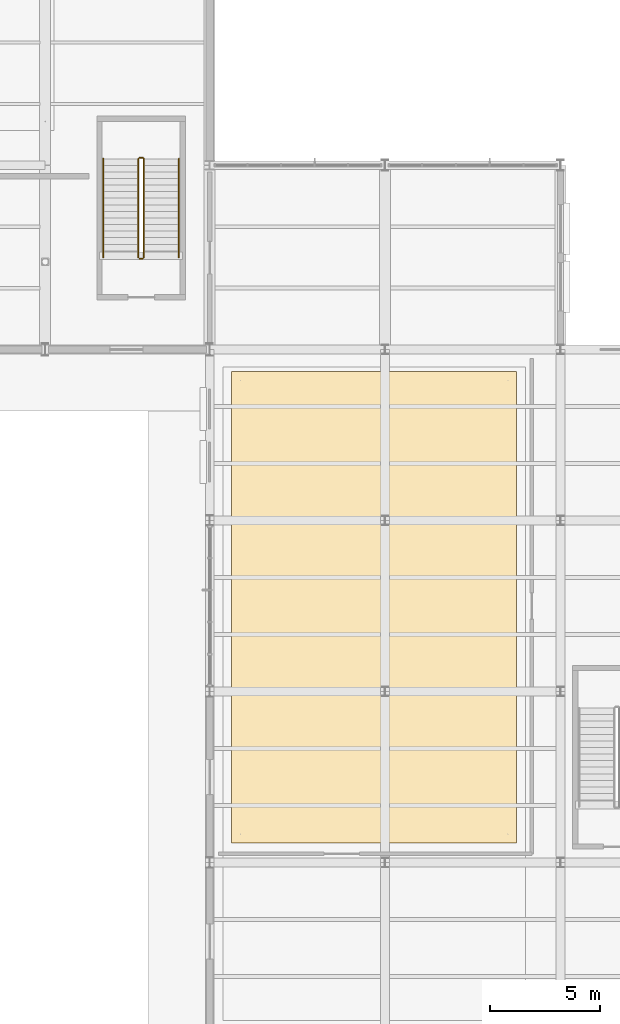
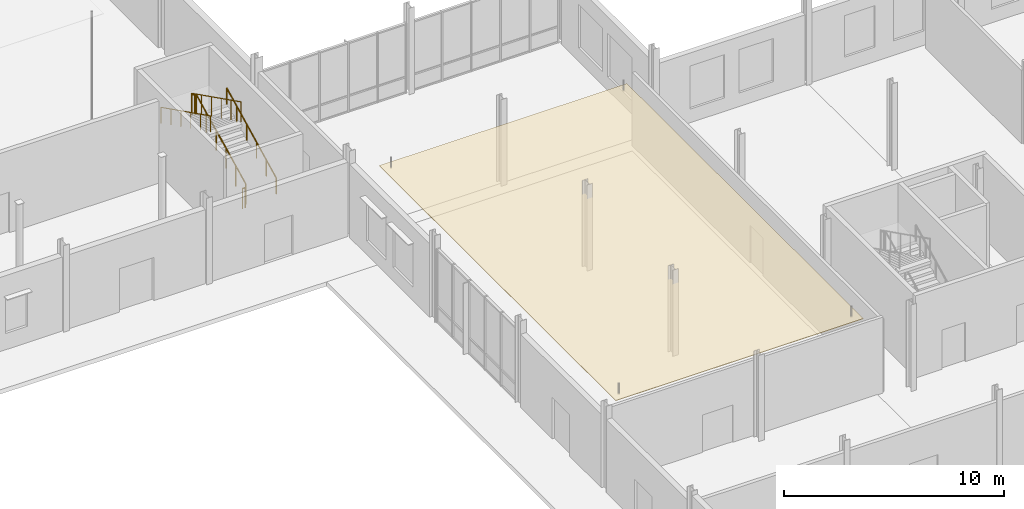
# One storey, part 80 of 82: 6 railings, 1 covering.
"""IFC4 building model written with IfcOpenShell, lengths in metres."""

import ifcopenshell
import ifcopenshell.guid

model = None  # the IFC model being written
_history = None  # IfcOwnerHistory: only IFC2X3 demands one
_inside = {}  # id of a spatial element -> (the spatial element, [elements in it])
_under = {}  # id of a project, library or spatial element -> (it, [spatial elements below it])
_declared = {}  # id of a project -> (the project, [libraries it declares])
_typed = {}  # id of a type object -> (the type object, [elements of that type])
_made_of = {}  # id of a material, layer set ... -> (it, [elements and type objects made of it])


def new_model(schema):
    """Start an empty IFC model of exactly this schema.

    Asked for "IFC4X3", IfcOpenShell would pick the latest addendum, in which some entities
    have other attributes; the version numbers below select the first issue.
    IFC2X3 requires an IfcOwnerHistory on every rooted entity: one is made here for all.
    """
    global model, _history
    if schema == "IFC4X3":
        model = ifcopenshell.file(schema_version=(4, 3, 0, 0))
    else:
        model = ifcopenshell.file(schema=schema)
    _inside.clear()
    _under.clear()
    _declared.clear()
    _typed.clear()
    _made_of.clear()
    _history = None
    if model.schema == "IFC2X3":
        org = make("IfcOrganization", Name="unknown")
        user = make(
            "IfcPersonAndOrganization",
            ThePerson=make("IfcPerson", FamilyName="unknown"),
            TheOrganization=org,
        )
        app = make(
            "IfcApplication",
            ApplicationDeveloper=org,
            Version="unknown",
            ApplicationFullName="unknown",
            ApplicationIdentifier="unknown",
        )
        _history = make(
            "IfcOwnerHistory",
            OwningUser=user,
            OwningApplication=app,
            ChangeAction="ADDED",
            CreationDate=0,
        )
    return model


def make(cls, **values):
    """One entity of the class cls with the attributes given. An attribute that is None is left unset."""
    return model.create_entity(
        cls, **{name: value for name, value in values.items() if value is not None}
    )


def rooted(cls, **values):
    """An entity with a GlobalId (a new one), such as an element, a storey or a relation."""
    return make(cls, GlobalId=ifcopenshell.guid.new(), OwnerHistory=_history, **values)


def si_unit(unit_type, name, prefix=None):
    """IfcSIUnit, for example si_unit("LENGTHUNIT", "METRE", prefix="MILLI")."""
    return make("IfcSIUnit", UnitType=unit_type, Prefix=prefix, Name=name)


def assignment(units):
    """IfcUnitAssignment: the units of a project."""
    return None if units is None else make("IfcUnitAssignment", Units=units)


def point(xyz):
    """IfcCartesianPoint."""
    return None if xyz is None else make("IfcCartesianPoint", Coordinates=xyz)


def direction(xyz):
    """IfcDirection."""
    return None if xyz is None else make("IfcDirection", DirectionRatios=xyz)


def frame(location, z_axis=None, x_axis=None):
    """IfcAxis2Placement3D, a coordinate frame: its origin and axes. An axis left out is left unset."""
    return make(
        "IfcAxis2Placement3D",
        Location=point(location),
        Axis=direction(z_axis),
        RefDirection=direction(x_axis),
    )


def frame_2d(location, x_axis=None):
    """IfcAxis2Placement2D, a coordinate frame in the plane: its origin and x axis."""
    return make(
        "IfcAxis2Placement2D", Location=point(location), RefDirection=direction(x_axis)
    )


def origin():
    """The frame at (0, 0, 0) with its axes left unset."""
    return frame((0.0, 0.0, 0.0))


def origin_2d():
    """The frame at (0, 0) in the plane with its x axis left unset."""
    return frame_2d((0.0, 0.0))


def place(relative_to, where):
    """IfcLocalPlacement: puts the frame where relative to a parent placement (None: the world)."""
    return make(
        "IfcLocalPlacement", PlacementRelTo=relative_to, RelativePlacement=where
    )


def context(
    kind, dimensions, precision=None, world=None, true_north=None, identifier=None
):
    """IfcGeometricRepresentationContext, for example the 3D "Model" context."""
    return make(
        "IfcGeometricRepresentationContext",
        ContextIdentifier=identifier,
        ContextType=kind,
        CoordinateSpaceDimension=dimensions,
        Precision=precision,
        WorldCoordinateSystem=world,
        TrueNorth=true_north,
    )


def subcontext(parent, identifier, kind, view, scale=None):
    """IfcGeometricRepresentationSubContext, for example "Body" below "Model"."""
    return make(
        "IfcGeometricRepresentationSubContext",
        ContextIdentifier=identifier,
        ContextType=kind,
        ParentContext=parent,
        TargetScale=scale,
        TargetView=view,
    )


def project(units=None, contexts=None):
    """IfcProject with its units and contexts."""
    return rooted(
        "IfcProject",
        Name="project",
        RepresentationContexts=contexts,
        UnitsInContext=assignment(units),
    )


def spatial(cls, under=None, at=None, **own):
    """A site, building, storey or space (cls), placed at a placement, below another one or the project."""
    s = rooted(cls, ObjectPlacement=at, **own)
    if under is not None:
        _under.setdefault(under.id(), (under, []))[1].append(s)
    return s


def polyline(points):
    """IfcPolyline through the points."""
    return make("IfcPolyline", Points=[point(p) for p in points])


def profile(cls, at=None, kind="AREA", **sizes):
    """A parametric profile (cls). Its sizes go by their IFC names, for example OverallWidth=200.0."""
    return make(cls, ProfileType=kind, Position=at, **sizes)


def circle(**sizes):
    """IfcCircleProfileDef."""
    return profile("IfcCircleProfileDef", **sizes)


def outline(outer, holes=None, kind="AREA"):
    """IfcArbitraryClosedProfileDef: a profile drawn as a closed curve; with holes, ...WithVoids."""
    if holes is None:
        return make("IfcArbitraryClosedProfileDef", ProfileType=kind, OuterCurve=outer)
    return make(
        "IfcArbitraryProfileDefWithVoids",
        ProfileType=kind,
        OuterCurve=outer,
        InnerCurves=holes,
    )


def extrude(swept, where, along, depth):
    """IfcExtrudedAreaSolid: the profile swept, set in the frame where, extruded along a direction by depth."""
    return make(
        "IfcExtrudedAreaSolid",
        SweptArea=swept,
        Position=where,
        ExtrudedDirection=direction(along),
        Depth=depth,
    )


def shape(context_of_items, identifier, shape_type, items):
    """IfcShapeRepresentation: the items that make up one representation, for example the "Body"."""
    return make(
        "IfcShapeRepresentation",
        ContextOfItems=context_of_items,
        RepresentationIdentifier=identifier,
        RepresentationType=shape_type,
        Items=items,
    )


def material(Name=None, Category=None):
    """IfcMaterial."""
    return make("IfcMaterial", Name=Name, Category=Category)


def layer(
    of_material, thickness, ventilated=None, Name=None, Category=None, Priority=None
):
    """IfcMaterialLayer: one layer of a wall or slab, of a material (None: an air gap)."""
    return make(
        "IfcMaterialLayer",
        Material=of_material,
        LayerThickness=thickness,
        IsVentilated=ventilated,
        Name=Name,
        Category=Category,
        Priority=Priority,
    )


def layer_set(layers, Name=None):
    """IfcMaterialLayerSet."""
    return make("IfcMaterialLayerSet", MaterialLayers=layers, LayerSetName=Name)


def made_of(thing, what):
    """Note that an element or type object is made of a material, layer set ...; save() writes the relation."""
    if what is not None:
        _made_of.setdefault(what.id(), (what, []))[1].append(thing)
    return thing


def type_object(cls, material=None, **own):
    """A type object (cls), such as IfcWallType, which elements share."""
    return made_of(rooted(cls, **own), material)


def element(
    cls,
    number,
    at=None,
    inside=None,
    cuts=None,
    type_object=None,
    material=None,
    context=None,
    identifier="Body",
    shape_type=None,
    held_by="IfcProductDefinitionShape",
    body=None,
    shapes=None,
    **own,
):
    """One element of the class cls, such as IfcWall. Its Tag is "e" and its number.

    at: its placement. inside: the storey or other place that contains it. cuts: it is an
    opening in that element (IfcRelVoidsElement). A single representation is given by context,
    identifier, shape_type and body (its items); several are given by shapes. held_by: the class
    of the entity that holds the representations. save() writes the other relations.
    """
    e = rooted(cls, Tag="e%d" % number, ObjectPlacement=at, **own)
    if body is not None:
        shapes = [shape(context, identifier, shape_type, body)]
    if shapes is not None:
        e.Representation = make(held_by, Representations=shapes)
    if inside is not None:
        _inside.setdefault(inside.id(), (inside, []))[1].append(e)
    if cuts is not None:
        rooted(
            "IfcRelVoidsElement", RelatingBuildingElement=cuts, RelatedOpeningElement=e
        )
    if type_object is not None:
        _typed.setdefault(type_object.id(), (type_object, []))[1].append(e)
    return made_of(e, material)


def aggregate(whole, parts):
    """IfcRelAggregates: a whole, such as a stair, and the parts it consists of."""
    return rooted("IfcRelAggregates", RelatingObject=whole, RelatedObjects=parts)


def save(model, path):
    """Write the relations noted so far, then the file.

    IfcRelAggregates (storeys below a building ...), IfcRelContainedInSpatialStructure (elements
    in a storey), IfcRelDefinesByType, IfcRelAssociatesMaterial and IfcRelDeclares: one each for
    every whole, place, type object, material and project.
    """
    for whole, parts in _under.values():
        aggregate(whole, parts)
    for where, things in _inside.values():
        rooted(
            "IfcRelContainedInSpatialStructure",
            RelatedElements=things,
            RelatingStructure=where,
        )
    for kind, things in _typed.values():
        rooted("IfcRelDefinesByType", RelatedObjects=things, RelatingType=kind)
    for what, things in _made_of.values():
        rooted("IfcRelAssociatesMaterial", RelatedObjects=things, RelatingMaterial=what)
    for by, libraries in _declared.values():
        rooted("IfcRelDeclares", RelatingContext=by, RelatedDefinitions=libraries)
    model.write(path)


model = new_model("IFC4")

# Units and contexts
model_context = context("Model", 3, precision=1e-05, world=origin(), true_north=direction((0.0, 1.0)))
body_context = subcontext(model_context, "Body", "Model", "MODEL_VIEW")
ifc_project = project(units=[si_unit("LENGTHUNIT", "METRE"), si_unit("AREAUNIT", "SQUARE_METRE"), si_unit("VOLUMEUNIT", "CUBIC_METRE"), si_unit("PLANEANGLEUNIT", "RADIAN"), si_unit("MASSUNIT", "GRAM", prefix="KILO")], contexts=[model_context])

# Site, building, storey
site_placement = place(None, origin())
site = spatial("IfcSite", under=ifc_project, at=site_placement, CompositionType="ELEMENT")
building_placement = place(site_placement, origin())
building = spatial("IfcBuilding", under=site, at=building_placement, Name="Yukiwa Park Conservatory and Herbarium", CompositionType="ELEMENT")
storey_placement = place(building_placement, origin())
storey = spatial("IfcBuildingStorey", under=building, at=storey_placement, Name="L00", CompositionType="ELEMENT", Elevation=0.0)

# Covering
ifc_material_1 = material(Name="Acoustic Mineral Fibre Ceiling")
ifc_layer_1 = layer(ifc_material_1, 0.030029296875)
ifc_layer_set_1 = layer_set([ifc_layer_1], Name="Acoustic Mineral Fibre Ceiling")
covering_type = type_object("IfcCoveringType", Name="COV-CEIL-ACOUSTIC", PredefinedType="CEILING", material=ifc_layer_set_1)
covering_placement = place(storey_placement, frame((0.0, 0.0, 4.0)))
element("IfcCovering", 1, at=covering_placement, inside=storey, type_object=covering_type, Name="L00 acoustic suspended ceiling CLG-L00-VIS", PredefinedType="CEILING", context=body_context, shape_type="SweptSolid", body=[
    extrude(outline(polyline([(61.0, 55.5), (74.0, 55.5), (74.0, 77.0), (61.0, 77.0), (61.0, 55.5)])), origin(), (0.0, 0.0, 1.0), 0.030029296875),
])

# Railings
ifc_material_2 = material(Name="Steel Q235B", Category="steel")
ifc_layer_2 = layer(ifc_material_2, 0.050048828125)
ifc_layer_set_2 = layer_set([ifc_layer_2], Name="Steel Q235B")
railing_type_1 = type_object("IfcRailingType", Name="RL-STAIR-GUARD-1120", PredefinedType="BALUSTRADE", material=ifc_layer_set_2)
railing_1_placement = place(storey_placement, frame((57.0, 82.199951171875, 0.14990234375)))
element("IfcRailing", 2, at=railing_1_placement, inside=storey, type_object=railing_type_1, Name="L00 ST-A2 stair guard 1", PredefinedType="BALUSTRADE", context=body_context, shape_type="SweptSolid", body=[
    extrude(circle(Radius=0.02392578125, at=origin_2d()), frame((0.0, 0.0, 1.09619140625), z_axis=(0.0, 0.894427191, 0.4472135955), x_axis=(-1.0, 0.0, 0.0)), (0.0, 0.0, 1.0), 5.03125),
    extrude(circle(Radius=0.02099609375, at=origin_2d()), origin(), (0.0, 0.0, 1.0), 1.072021484375),
    extrude(circle(Radius=0.02099609375, at=origin_2d()), frame((0.0, 0.89990234375, 0.449951171875)), (0.0, 0.0, 1.0), 1.072021484375),
    extrude(circle(Radius=0.02099609375, at=origin_2d()), frame((0.0, 1.800048828125, 0.89990234375)), (0.0, 0.0, 1.0), 1.072021484375),
    extrude(circle(Radius=0.02099609375, at=origin_2d()), frame((0.0, 2.699951171875, 1.35009765625)), (0.0, 0.0, 1.0), 1.072021484375),
    extrude(circle(Radius=0.02099609375, at=origin_2d()), frame((0.0, 3.60009765625, 1.800048828125)), (0.0, 0.0, 1.0), 1.072021484375),
    extrude(circle(Radius=0.02099609375, at=origin_2d()), frame((0.0, 4.5, 2.25)), (0.0, 0.0, 1.0), 1.072021484375),
])
railing_2_placement = place(storey_placement, frame((56.949951171875, 86.75, 2.39990234375)))
element("IfcRailing", 3, at=railing_2_placement, inside=storey, type_object=railing_type_1, Name="L00 ST-A2 stair guard 2", PredefinedType="BALUSTRADE", context=body_context, shape_type="SweptSolid", body=[
    extrude(circle(Radius=0.02392578125, at=origin_2d()), frame((0.0, 0.0, 1.09619140625), z_axis=(-1.0, 0.0, 0.0), x_axis=(0.0, -1.0, 0.0)), (0.0, 0.0, 1.0), 0.14990234375),
    extrude(circle(Radius=0.02099609375, at=origin_2d()), origin(), (0.0, 0.0, 1.0), 1.072021484375),
    extrude(circle(Radius=0.02099609375, at=origin_2d()), frame((-0.14990234375, 0.0, 0.0)), (0.0, 0.0, 1.0), 1.072021484375),
])
railing_3_placement = place(storey_placement, frame((56.75, 86.699951171875, 2.550048828125)))
element("IfcRailing", 4, at=railing_3_placement, inside=storey, type_object=railing_type_1, Name="L00 ST-A2 stair guard 3", PredefinedType="BALUSTRADE", context=body_context, shape_type="SweptSolid", body=[
    extrude(circle(Radius=0.02392578125, at=origin_2d()), frame((0.0, 0.0, 1.09619140625), z_axis=(0.0, -0.894427191, 0.4472135955), x_axis=(1.0, 0.0, 0.0)), (0.0, 0.0, 1.0), 5.03125),
    extrude(circle(Radius=0.02099609375, at=origin_2d()), origin(), (0.0, 0.0, 1.0), 1.072021484375),
    extrude(circle(Radius=0.02099609375, at=origin_2d()), frame((0.0, -0.89990234375, 0.449951171875)), (0.0, 0.0, 1.0), 1.072021484375),
    extrude(circle(Radius=0.02099609375, at=origin_2d()), frame((0.0, -1.800048828125, 0.89990234375)), (0.0, 0.0, 1.0), 1.072021484375),
    extrude(circle(Radius=0.02099609375, at=origin_2d()), frame((0.0, -2.699951171875, 1.35009765625)), (0.0, 0.0, 1.0), 1.072021484375),
    extrude(circle(Radius=0.02099609375, at=origin_2d()), frame((0.0, -3.60009765625, 1.800048828125)), (0.0, 0.0, 1.0), 1.072021484375),
    extrude(circle(Radius=0.02099609375, at=origin_2d()), frame((0.0, -4.5, 2.25)), (0.0, 0.0, 1.0), 1.072021484375),
])
railing_4_placement = place(storey_placement, frame((56.949951171875, 82.14990234375, 0.0)))
element("IfcRailing", 5, at=railing_4_placement, inside=storey, type_object=railing_type_1, Name="L00 ST-A2 stair guard 4", PredefinedType="BALUSTRADE", context=body_context, shape_type="SweptSolid", body=[
    extrude(circle(Radius=0.02392578125, at=origin_2d()), frame((0.0, 0.0, 1.09619140625), z_axis=(-1.0, 0.0, 0.0), x_axis=(0.0, -1.0, 0.0)), (0.0, 0.0, 1.0), 0.14990234375),
    extrude(circle(Radius=0.02099609375, at=origin_2d()), origin(), (0.0, 0.0, 1.0), 1.072021484375),
    extrude(circle(Radius=0.02099609375, at=origin_2d()), frame((-0.14990234375, 0.0, 0.0)), (0.0, 0.0, 1.0), 1.072021484375),
])
ifc_material_3 = material(Name="Steel Q235B", Category="steel")
ifc_layer_3 = layer(ifc_material_3, 0.044921875)
ifc_layer_set_3 = layer_set([ifc_layer_3], Name="Steel Q235B")
railing_type_2 = type_object("IfcRailingType", Name="RL-STAIR-RAIL-900", PredefinedType="HANDRAIL", material=ifc_layer_set_3)
railing_5_placement = place(storey_placement, frame((58.60009765625, 82.199951171875, 0.14990234375)))
element("IfcRailing", 6, at=railing_5_placement, inside=storey, type_object=railing_type_2, Name="L00 ST-A2 stair handrail 1", PredefinedType="HANDRAIL", context=body_context, shape_type="SweptSolid", body=[
    extrude(circle(Radius=0.02392578125, at=origin_2d()), frame((0.0, 0.0, 0.8759765625), z_axis=(0.0, 0.894427191, 0.4472135955), x_axis=(-1.0, 0.0, 0.0)), (0.0, 0.0, 1.0), 5.03125),
    extrude(circle(Radius=0.02099609375, at=origin_2d()), origin(), (0.0, 0.0, 1.0), 0.851806640625),
    extrude(circle(Radius=0.02099609375, at=origin_2d()), frame((0.0, 0.89990234375, 0.449951171875)), (0.0, 0.0, 1.0), 0.851806640625),
    extrude(circle(Radius=0.02099609375, at=origin_2d()), frame((0.0, 1.800048828125, 0.89990234375)), (0.0, 0.0, 1.0), 0.851806640625),
    extrude(circle(Radius=0.02099609375, at=origin_2d()), frame((0.0, 2.699951171875, 1.35009765625)), (0.0, 0.0, 1.0), 0.851806640625),
    extrude(circle(Radius=0.02099609375, at=origin_2d()), frame((0.0, 3.60009765625, 1.800048828125)), (0.0, 0.0, 1.0), 0.851806640625),
    extrude(circle(Radius=0.02099609375, at=origin_2d()), frame((0.0, 4.5, 2.25)), (0.0, 0.0, 1.0), 0.851806640625),
])
railing_6_placement = place(storey_placement, frame((55.14990234375, 86.699951171875, 2.550048828125)))
element("IfcRailing", 7, at=railing_6_placement, inside=storey, type_object=railing_type_2, Name="L00 ST-A2 stair handrail 2", PredefinedType="HANDRAIL", context=body_context, shape_type="SweptSolid", body=[
    extrude(circle(Radius=0.02392578125, at=origin_2d()), frame((0.0, 0.0, 0.8759765625), z_axis=(0.0, -0.894427191, 0.4472135955), x_axis=(1.0, 0.0, 0.0)), (0.0, 0.0, 1.0), 5.03125),
    extrude(circle(Radius=0.02099609375, at=origin_2d()), origin(), (0.0, 0.0, 1.0), 0.851806640625),
    extrude(circle(Radius=0.02099609375, at=origin_2d()), frame((0.0, -0.89990234375, 0.449951171875)), (0.0, 0.0, 1.0), 0.851806640625),
    extrude(circle(Radius=0.02099609375, at=origin_2d()), frame((0.0, -1.800048828125, 0.89990234375)), (0.0, 0.0, 1.0), 0.851806640625),
    extrude(circle(Radius=0.02099609375, at=origin_2d()), frame((0.0, -2.699951171875, 1.35009765625)), (0.0, 0.0, 1.0), 0.851806640625),
    extrude(circle(Radius=0.02099609375, at=origin_2d()), frame((0.0, -3.60009765625, 1.800048828125)), (0.0, 0.0, 1.0), 0.851806640625),
    extrude(circle(Radius=0.02099609375, at=origin_2d()), frame((0.0, -4.5, 2.25)), (0.0, 0.0, 1.0), 0.851806640625),
])

save(model, "model.ifc")
